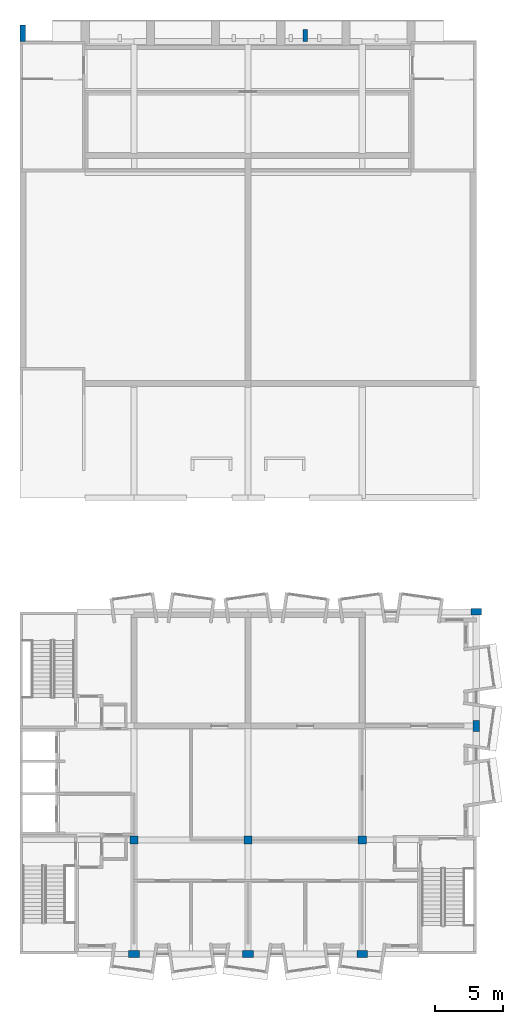
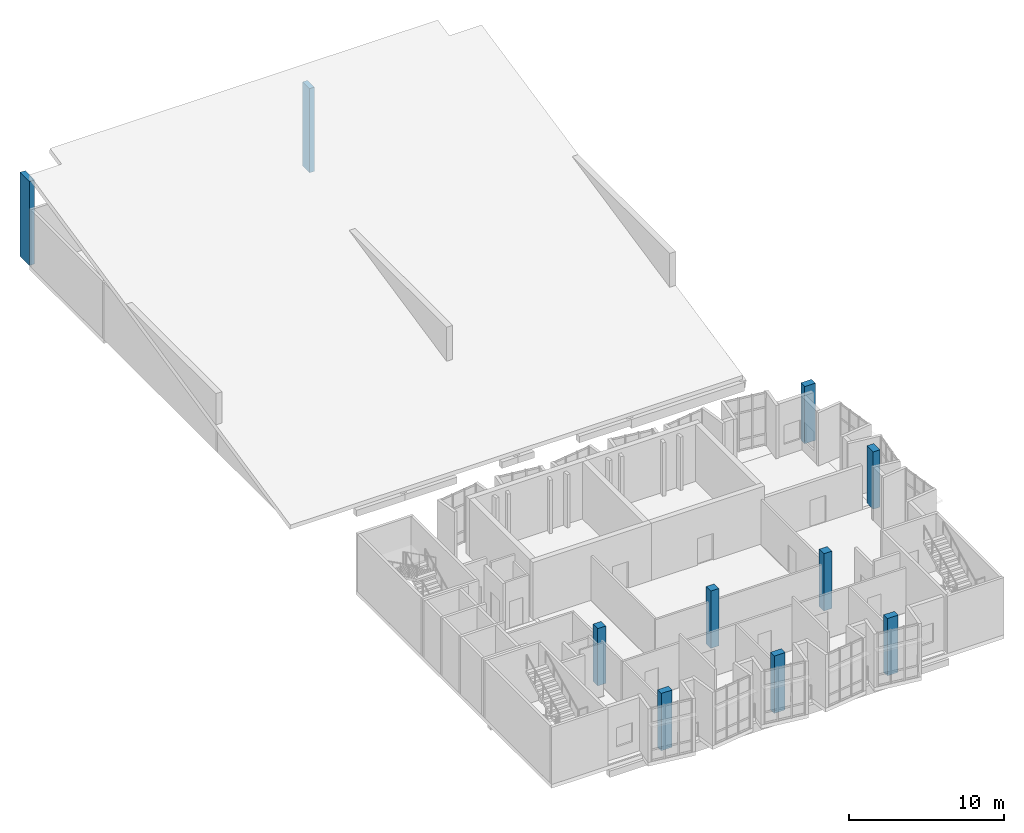
# One storey, part 1 of 19: 10 columns.
"""IFC4 building model written with IfcOpenShell, lengths in metres."""

from ifc_helpers import new_model, si_unit, direction, frame, origin, origin_2d, place, context, subcontext, project, spatial, rectangle, extrude, material, material_profile, profile_set, type_object, element, save


model = new_model("IFC4")

# Units and contexts
model_context = context("Model", 3, precision=1e-05, world=origin(), true_north=direction((0.0, 1.0)))
body_context = subcontext(model_context, "Body", "Model", "MODEL_VIEW")
ifc_project = project(units=[si_unit("LENGTHUNIT", "METRE"), si_unit("AREAUNIT", "SQUARE_METRE"), si_unit("VOLUMEUNIT", "CUBIC_METRE"), si_unit("PLANEANGLEUNIT", "RADIAN"), si_unit("MASSUNIT", "GRAM", prefix="KILO")], contexts=[model_context])

# Site, building, storey
site_placement = place(None, origin())
site = spatial("IfcSite", under=ifc_project, at=site_placement, CompositionType="ELEMENT")
building_placement = place(site_placement, origin())
building = spatial("IfcBuilding", under=site, at=building_placement, Name="Kiln Court Media Centre", CompositionType="ELEMENT")
storey_placement = place(building_placement, frame((0.0, 0.0, 29.10009765625)))
storey = spatial("IfcBuildingStorey", under=building, at=storey_placement, Name="L06", CompositionType="ELEMENT", Elevation=29.10009765625)

# Columns
ifc_material_1 = material(Name="Concrete C40/50", Category="concrete")
ifc_material_profile_1 = material_profile(ifc_material_1, rectangle(XDim=0.60009765625, YDim=0.60009765625, at=origin_2d()), Name="RC 600x600")
ifc_profile_set_1 = profile_set([ifc_material_profile_1], Name="Concrete C40/50")
column_type_1 = type_object("IfcColumnType", Name="Concrete C40/50 column 600x600", PredefinedType="COLUMN", material=ifc_profile_set_1)
for number, where, z_axis, x_axis, name in (
    (1, (8.39990234375, 8.39990234375, 0.0), (0.0, 0.0, 1.0), (1.0, 0.0, 0.0), "L06-C-1001"),
    (2, (16.800048828125, 8.39990234375, 0.0), (0.0, 0.0, 1.0), (1.0, 0.0, 0.0), "L06-C-1003"),
    (3, (25.199951171875, 8.39990234375, 0.0), (0.0, 0.0, 1.0), (1.0, 0.0, 0.0), "L06-C-1005"),
):
    element("IfcColumn", number, at=place(storey_placement, frame(where, z_axis=z_axis, x_axis=x_axis)), inside=storey, type_object=column_type_1, Name=name, PredefinedType="COLUMN", context=body_context, shape_type="SweptSolid", body=[
        extrude(rectangle(XDim=0.60009765625, YDim=0.60009765625, at=origin_2d()), origin(), (0.0, 0.0, 1.0), 4.5),
    ])
ifc_material_2 = material(Name="Concrete C40/50", Category="concrete")
ifc_material_profile_2 = material_profile(ifc_material_2, rectangle(XDim=0.800048828125, YDim=0.5, at=origin_2d()), Name="RC 800x500")
ifc_profile_set_2 = profile_set([ifc_material_profile_2], Name="Concrete C40/50")
column_type_2 = type_object("IfcColumnType", Name="Concrete C40/50 column 800x500", PredefinedType="COLUMN", material=ifc_profile_set_2)
for number, where, z_axis, x_axis, name in (
    (4, (8.39990234375, 0.0, 0.0), (0.0, 0.0, 1.0), (1.0, 0.0, 0.0), "L06-C-1000"),
    (5, (16.800048828125, 0.0, 0.0), (0.0, 0.0, 1.0), (1.0, 0.0, 0.0), "L06-C-1002"),
    (6, (25.199951171875, 0.0, 0.0), (0.0, 0.0, 1.0), (1.0, 0.0, 0.0), "L06-C-1004"),
    (7, (33.60009765625, 16.800048828125, 0.0), (0.0, 0.0, 1.0), (0.0, 1.0, 0.0), "L06-C-1006"),
    (8, (33.60009765625, 25.199951171875, 0.0), (0.0, 0.0, 1.0), (1.0, 0.0, 0.0), "L06-C-1007"),
):
    element("IfcColumn", number, at=place(storey_placement, frame(where, z_axis=z_axis, x_axis=x_axis)), inside=storey, type_object=column_type_2, Name=name, PredefinedType="COLUMN", context=body_context, shape_type="SweptSolid", body=[
        extrude(rectangle(XDim=0.800048828125, YDim=0.5, at=origin_2d()), origin(), (0.0, 0.0, 1.0), 4.5),
    ])
ifc_material_3 = material(Name="Concrete C40/50", Category="concrete")
ifc_material_profile_3 = material_profile(ifc_material_3, rectangle(XDim=0.35009765625, YDim=0.89990234375, at=origin_2d()), Name="RC 350x900")
ifc_profile_set_3 = profile_set([ifc_material_profile_3], Name="Concrete C40/50")
column_type_3 = type_object("IfcColumnType", Name="Concrete C40/50 pilaster rib 350x900", PredefinedType="PILASTER", material=ifc_profile_set_3)
column_1_placement = place(storey_placement, frame((21.0, 67.64990234375, 0.0), z_axis=(0.0, 0.0, 1.0), x_axis=(1.0, 0.0, 0.0)))
element("IfcColumn", 9, at=column_1_placement, inside=storey, type_object=column_type_3, Name="V4 N rib L06", PredefinedType="PILASTER", context=body_context, shape_type="SweptSolid", body=[
    extrude(rectangle(XDim=0.35009765625, YDim=0.89990234375, at=origin_2d()), origin(), (0.0, 0.0, 1.0), 6.603515625),
])
ifc_material_4 = material(Name="Concrete C40/50", Category="concrete")
ifc_material_profile_4 = material_profile(ifc_material_4, rectangle(XDim=0.39990234375, YDim=1.199951171875, at=origin_2d()), Name="RC 400x1200")
ifc_profile_set_4 = profile_set([ifc_material_profile_4], Name="Concrete C40/50")
column_type_4 = type_object("IfcColumnType", Name="Concrete C40/50 pilaster rib 400x1200", PredefinedType="PILASTER", material=ifc_profile_set_4)
column_2_placement = place(storey_placement, frame((0.199951171875, 67.800048828125, 0.0), z_axis=(0.0, 0.0, 1.0), x_axis=(1.0, 0.0, 0.0)))
element("IfcColumn", 10, at=column_2_placement, inside=storey, type_object=column_type_4, Name="V4 N rib L06", PredefinedType="PILASTER", context=body_context, shape_type="SweptSolid", body=[
    extrude(rectangle(XDim=0.39990234375, YDim=1.199951171875, at=origin_2d()), origin(), (0.0, 0.0, 1.0), 6.603515625),
])

save(model, "model.ifc")
